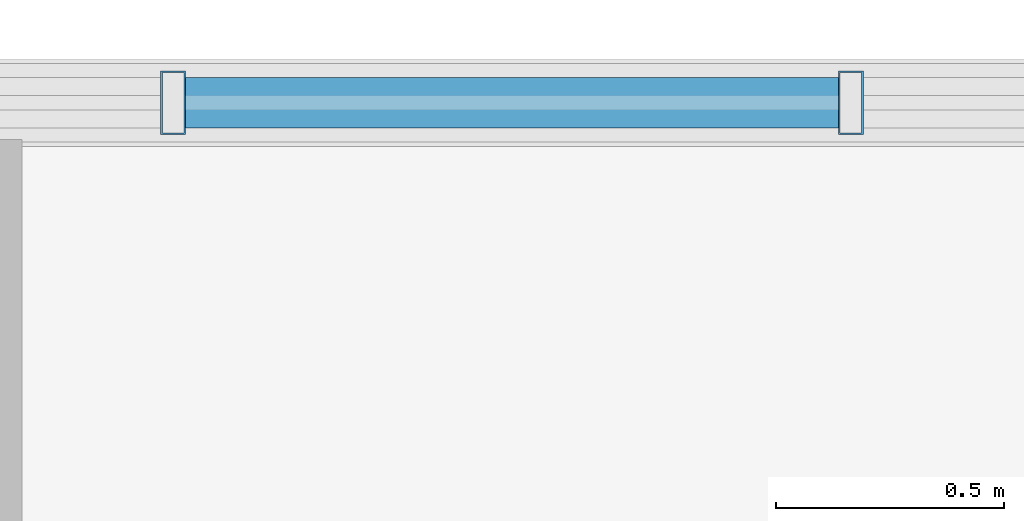
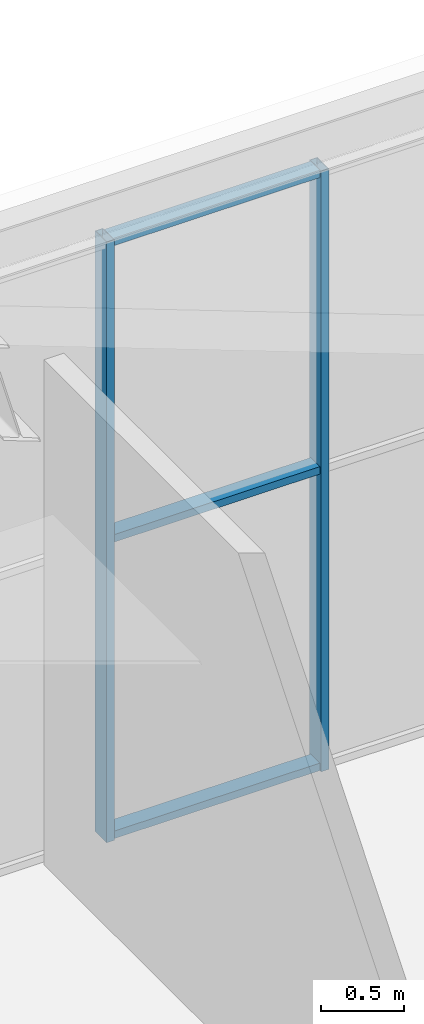
# One storey, part 20 of 27: 5 members, 1 element without a shape of its own.
"""IFC4 building model written with IfcOpenShell, lengths in metres."""

from ifc_helpers import new_model, si_unit, direction, frame, origin, origin_2d, place, context, subcontext, project, spatial, hollow_rectangle, extrude, material, layer, layer_set, material_profile, profile_set, type_object, element, aggregate, save


model = new_model("IFC4")

# Units and contexts
model_context = context("Model", 3, precision=1e-05, world=origin(), true_north=direction((0.0, 1.0)))
body_context = subcontext(model_context, "Body", "Model", "MODEL_VIEW")
ifc_project = project(units=[si_unit("LENGTHUNIT", "METRE"), si_unit("AREAUNIT", "SQUARE_METRE"), si_unit("VOLUMEUNIT", "CUBIC_METRE"), si_unit("PLANEANGLEUNIT", "RADIAN"), si_unit("MASSUNIT", "GRAM", prefix="KILO")], contexts=[model_context])

# Site, building, storey
site_placement = place(None, origin())
site = spatial("IfcSite", under=ifc_project, at=site_placement, CompositionType="ELEMENT")
building_placement = place(site_placement, origin())
building = spatial("IfcBuilding", under=site, at=building_placement, Name="Solvenia Promenade Tram Depot", CompositionType="ELEMENT")
storey_placement = place(building_placement, frame((0.0, 0.0, 13.5)))
storey = spatial("IfcBuildingStorey", under=building, at=storey_placement, Name="L03", CompositionType="ELEMENT", Elevation=13.5)

# Curtain wall, members
ifc_material = material(Name="Anodized aluminium AW-6063 T6", Category="aluminium")
ifc_layer = layer(ifc_material, 0.199951171875, Name="Anodized aluminium AW-6063 T6", Category="aluminium")
ifc_layer_set = layer_set([ifc_layer], Name="Anodized aluminium AW-6063 T6")
curtain_wall_type = type_object("IfcCurtainWallType", Name="CW-OCC-1500", PredefinedType="NOTDEFINED", material=ifc_layer_set)
curtain_wall_placement = place(storey_placement, origin())
curtain_wall = element("IfcCurtainWall", 1, at=curtain_wall_placement, inside=storey, type_object=curtain_wall_type, Name="Curtain Wall CW-L03-V2N", PredefinedType="NOTDEFINED")
ifc_material_profile_1 = material_profile(ifc_material, hollow_rectangle(XDim=0.139892578125, YDim=0.054931640625, WallThickness=0.00390625, at=origin_2d()), Name="ALU-M4", Category="aluminium")
ifc_profile_set_1 = profile_set([ifc_material_profile_1], Name="Anodized aluminium AW-6063 T6")
member_type_1 = type_object("IfcMemberType", Name="CWM-Mullion-4", PredefinedType="MULLION", material=ifc_profile_set_1)
member_1_placement = place(storey_placement, frame((151.39990234375, 66.0, 0.0), z_axis=(0.0, 0.0, 1.0), x_axis=(0.0, 1.0, 0.0)))
member_1 = element("IfcMember", 2, at=member_1_placement, type_object=member_type_1, Name="CW-8 mullion 22", PredefinedType="MULLION", context=body_context, shape_type="SweptSolid", body=[
    extrude(hollow_rectangle(XDim=0.139892578125, YDim=0.054931640625, WallThickness=0.00390625, at=origin_2d()), origin(), (0.0, 0.0, 1.0), 4.39990234375),
])
member_2_placement = place(storey_placement, frame((152.8857421875, 66.0, 0.0), z_axis=(0.0, 0.0, 1.0), x_axis=(0.0, 1.0, 0.0)))
member_2 = element("IfcMember", 3, at=member_2_placement, type_object=member_type_1, Name="CW-8 mullion 23", PredefinedType="MULLION", context=body_context, shape_type="SweptSolid", body=[
    extrude(hollow_rectangle(XDim=0.139892578125, YDim=0.054931640625, WallThickness=0.00390625, at=origin_2d()), origin(), (0.0, 0.0, 1.0), 4.39990234375),
])
ifc_material_profile_2 = material_profile(ifc_material, hollow_rectangle(XDim=0.110107421875, YDim=0.054931640625, WallThickness=0.00390625, at=origin_2d()), Name="ALU-T4", Category="aluminium")
ifc_profile_set_2 = profile_set([ifc_material_profile_2], Name="Anodized aluminium AW-6063 T6")
member_type_2 = type_object("IfcMemberType", Name="CWT-Transom-4", PredefinedType="USERDEFINED", material=ifc_profile_set_2)
member_3_placement = place(storey_placement, frame((151.427490234375, 66.0, 0.027587890625), z_axis=(1.0, 0.0, 0.0), x_axis=(0.0, 1.0, 0.0)))
member_3 = element("IfcMember", 4, at=member_3_placement, type_object=member_type_2, Name="CW-8 transom 22.1", ObjectType="TRANSOM", PredefinedType="USERDEFINED", context=body_context, shape_type="SweptSolid", body=[
    extrude(hollow_rectangle(XDim=0.110107421875, YDim=0.054931640625, WallThickness=0.00390625, at=origin_2d()), origin(), (0.0, 0.0, 1.0), 1.4306640625),
])
member_4_placement = place(storey_placement, frame((151.427490234375, 66.0, 2.199951171875), z_axis=(1.0, 0.0, 0.0), x_axis=(0.0, 1.0, 0.0)))
member_4 = element("IfcMember", 5, at=member_4_placement, type_object=member_type_2, Name="CW-8 transom 22.2", ObjectType="TRANSOM", PredefinedType="USERDEFINED", context=body_context, shape_type="SweptSolid", body=[
    extrude(hollow_rectangle(XDim=0.110107421875, YDim=0.054931640625, WallThickness=0.00390625, at=origin_2d()), origin(), (0.0, 0.0, 1.0), 1.4306640625),
])
member_5_placement = place(storey_placement, frame((151.427490234375, 66.0, 4.37255859375), z_axis=(1.0, 0.0, 0.0), x_axis=(0.0, 1.0, 0.0)))
member_5 = element("IfcMember", 6, at=member_5_placement, type_object=member_type_2, Name="CW-8 transom 22.3", ObjectType="TRANSOM", PredefinedType="USERDEFINED", context=body_context, shape_type="SweptSolid", body=[
    extrude(hollow_rectangle(XDim=0.110107421875, YDim=0.054931640625, WallThickness=0.00390625, at=origin_2d()), origin(), (0.0, 0.0, 1.0), 1.4306640625),
])
aggregate(curtain_wall, [member_1, member_2, member_3, member_4, member_5])

save(model, "model.ifc")
